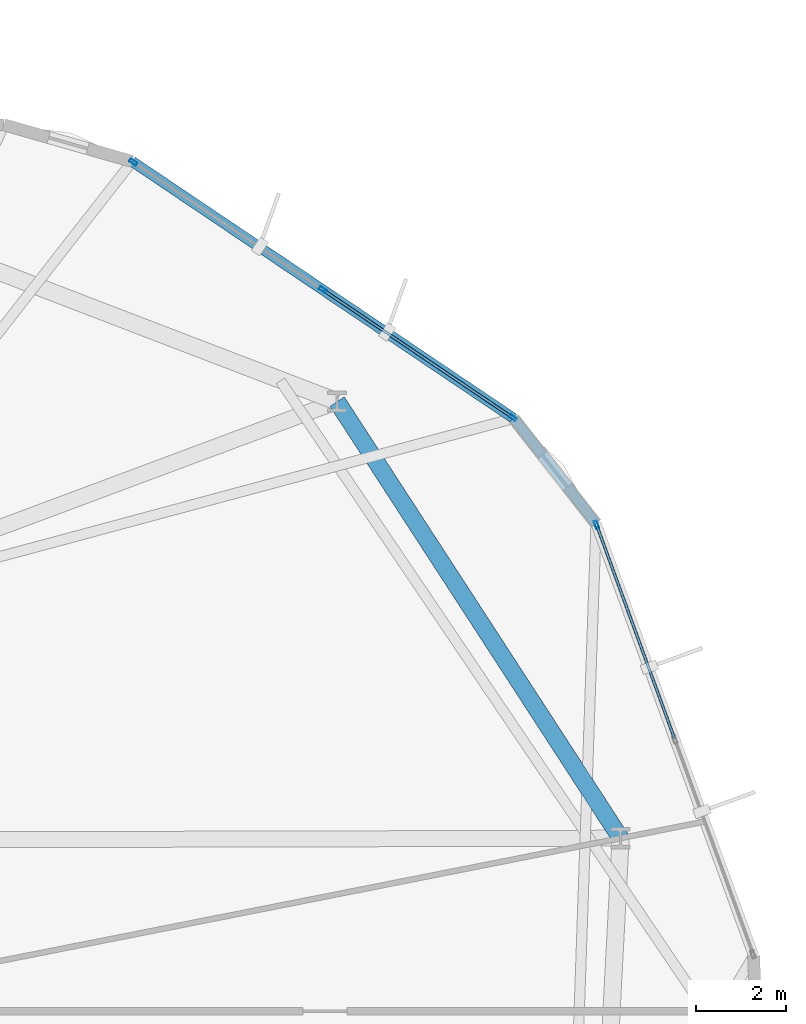
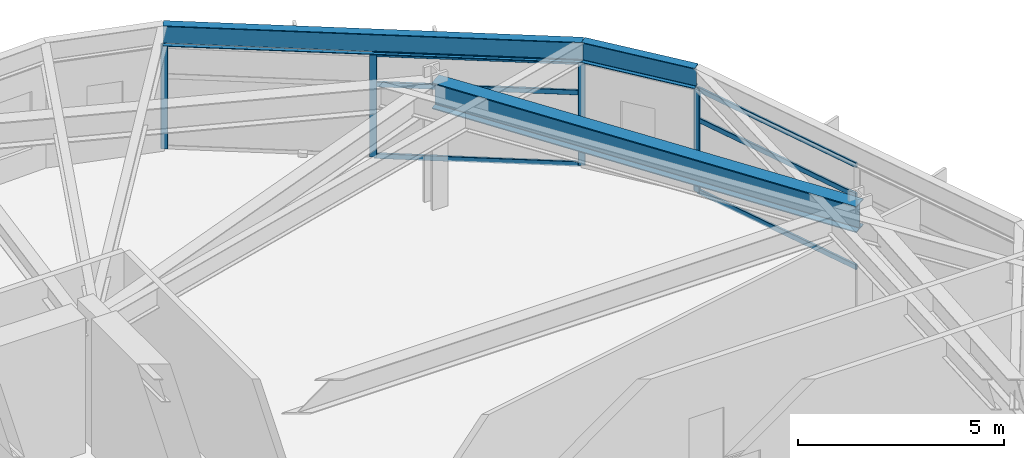
# One storey, part 14 of 21: 10 members, 3 beams, 2 elements without a shape of their own.
"""IFC4 building model written with IfcOpenShell, lengths in metres."""

from ifc_helpers import new_model, si_unit, direction, frame, origin, origin_2d, place, context, subcontext, project, spatial, hollow_rectangle, i_section, extrude, material, layer, layer_set, material_profile, profile_set, type_object, element, aggregate, save


model = new_model("IFC4")

# Units and contexts
model_context = context("Model", 3, precision=1e-05, world=origin(), true_north=direction((0.0, 1.0)))
body_context = subcontext(model_context, "Body", "Model", "MODEL_VIEW")
ifc_project = project(units=[si_unit("LENGTHUNIT", "METRE"), si_unit("AREAUNIT", "SQUARE_METRE"), si_unit("VOLUMEUNIT", "CUBIC_METRE"), si_unit("PLANEANGLEUNIT", "RADIAN"), si_unit("MASSUNIT", "GRAM", prefix="KILO")], contexts=[model_context])

# Site, building, storey
site_placement = place(None, origin())
site = spatial("IfcSite", under=ifc_project, at=site_placement, CompositionType="ELEMENT")
building_placement = place(site_placement, origin())
building = spatial("IfcBuilding", under=site, at=building_placement, Name="Soratama Intermodal Tower", CompositionType="ELEMENT")
storey_placement = place(building_placement, frame((0.0, 0.0, 34.60009765625)))
storey = spatial("IfcBuildingStorey", under=building, at=storey_placement, Name="L07", CompositionType="ELEMENT", Elevation=34.60009765625)

# Beams
ifc_material_1 = material(Name="Structural steel ASTM A992 Grade 50", Category="steel")
ifc_material_profile_1 = material_profile(ifc_material_1, i_section(OverallWidth=0.382080078125, OverallDepth=0.779052734375, WebThickness=0.01806640625, FlangeThickness=0.030029296875, FilletRadius=0.01806640625, at=origin_2d()), Name="W30X191")
ifc_profile_set_1 = profile_set([ifc_material_profile_1], Name="Structural steel ASTM A992 Grade 50")
beam_type_1 = type_object("IfcBeamType", Name="BM-RING-W30X191", PredefinedType="BEAM", material=ifc_profile_set_1)
beam_1_placement = place(storey_placement, frame((63.08203125, 29.844970703125, 3.310302734375), z_axis=(-0.544623370352, 0.838680740489, 0.0), x_axis=(-0.838680740489, -0.544623370352, 0.0)))
element("IfcBeam", 1, at=beam_1_placement, inside=storey, type_object=beam_type_1, Name="BM-L07-RING-01", PredefinedType="BEAM", context=body_context, shape_type="SweptSolid", body=[
    extrude(i_section(OverallWidth=0.382080078125, OverallDepth=0.779052734375, WebThickness=0.01806640625, FlangeThickness=0.030029296875, FilletRadius=0.01806640625, at=origin_2d()), origin(), (0.0, 0.0, 1.0), 11.569580078125),
])
ifc_material_2 = material(Name="Structural steel ASTM A992 Grade 50", Category="steel")
ifc_material_profile_2 = material_profile(ifc_material_2, i_section(OverallWidth=0.22900390625, OverallDepth=0.612060546875, WebThickness=0.011962890625, FlangeThickness=0.01953125, FilletRadius=0.012939453125, at=origin_2d()), Name="W24X84")
ifc_profile_set_2 = profile_set([ifc_material_profile_2], Name="Structural steel ASTM A992 Grade 50")
beam_type_2 = type_object("IfcBeamType", Name="BM-SPN-W24X84", PredefinedType="SPANDREL", material=ifc_profile_set_2)
beam_2_placement = place(storey_placement, frame((62.537109375, 36.837890625, 3.393798828125), z_axis=(-0.616268316519, 0.787536260787, 0.0), x_axis=(-0.787536260787, -0.616268316519, 0.0)))
element("IfcBeam", 2, at=beam_2_placement, inside=storey, type_object=beam_type_2, Name="BS-L07-CRN01", PredefinedType="SPANDREL", context=body_context, shape_type="SweptSolid", body=[
    extrude(i_section(OverallWidth=0.22900390625, OverallDepth=0.612060546875, WebThickness=0.011962890625, FlangeThickness=0.01953125, FilletRadius=0.012939453125, at=origin_2d()), origin(), (0.0, 0.0, 1.0), 2.966552734375),
])
beam_3_placement = place(storey_placement, frame((60.708984375, 39.174072265625, 3.393798828125), z_axis=(-0.82941027997, 0.558639944401, 0.0), x_axis=(-0.558639944401, -0.82941027997, 0.0)))
element("IfcBeam", 3, at=beam_3_placement, inside=storey, type_object=beam_type_2, Name="BS-L07-F02", PredefinedType="SPANDREL", context=body_context, shape_type="SweptSolid", body=[
    extrude(i_section(OverallWidth=0.22900390625, OverallDepth=0.612060546875, WebThickness=0.011962890625, FlangeThickness=0.01953125, FilletRadius=0.012939453125, at=origin_2d()), origin(), (0.0, 0.0, 1.0), 10.222900390625),
])

# Curtain wall, member
ifc_material_3 = material(Name="Double-glazed aluminium curtain wall", Category="aluminium")
ifc_layer = layer(ifc_material_3, 0.159912109375)
ifc_layer_set = layer_set([ifc_layer], Name="Double-glazed aluminium curtain wall")
curtain_wall_type = type_object("IfcCurtainWallType", Name="CW-SYS-2", PredefinedType="NOTDEFINED", material=ifc_layer_set)
curtain_wall_1_placement = place(storey_placement, origin())
curtain_wall_1 = element("IfcCurtainWall", 4, at=curtain_wall_1_placement, inside=storey, type_object=curtain_wall_type, Name="L07 Faceted Curtain Wall F01", PredefinedType="NOTDEFINED")
ifc_material_4 = material(Name="Anodised aluminium AA 6063-T6", Category="aluminium")
ifc_material_profile_3 = material_profile(ifc_material_4, hollow_rectangle(XDim=0.074951171875, YDim=0.179931640625, WallThickness=0.006103515625, InnerFilletRadius=0.006103515625, OuterFilletRadius=0.011962890625, at=origin_2d()), Name="CWM180X75X6")
ifc_profile_set_3 = profile_set([ifc_material_profile_3], Name="Anodised aluminium AA 6063-T6")
member_type_1 = type_object("IfcMemberType", Name="MT-CWM-2", PredefinedType="MULLION", material=ifc_profile_set_3)
member_1_placement = place(storey_placement, frame((62.547119140625, 36.8095703125, 0.0), z_axis=(0.0, 0.0, 1.0), x_axis=(-0.939452518912, -0.342679098735, 0.0)))
member_1 = element("IfcMember", 5, at=member_1_placement, type_object=member_type_1, Name="CW-2 mullion 3", PredefinedType="MULLION", context=body_context, shape_type="SweptSolid", body=[
    extrude(hollow_rectangle(XDim=0.074951171875, YDim=0.179931640625, WallThickness=0.006103515625, InnerFilletRadius=0.006103515625, OuterFilletRadius=0.011962890625, at=origin_2d()), origin(), (0.0, 0.0, 1.0), 3.078857421875),
])

# Curtain wall, members
curtain_wall_2_placement = place(storey_placement, origin())
curtain_wall_2 = element("IfcCurtainWall", 6, at=curtain_wall_2_placement, inside=storey, type_object=curtain_wall_type, Name="L07 Faceted Curtain Wall F02", PredefinedType="NOTDEFINED")
member_2_placement = place(storey_placement, frame((60.68408203125, 39.19091796875, 0.0), z_axis=(0.0, 0.0, 1.0), x_axis=(-0.558610542443, -0.82943008257, 0.0)))
member_2 = element("IfcMember", 7, at=member_2_placement, type_object=member_type_1, Name="CW-2 mullion 1", PredefinedType="MULLION", context=body_context, shape_type="SweptSolid", body=[
    extrude(hollow_rectangle(XDim=0.074951171875, YDim=0.179931640625, WallThickness=0.006103515625, InnerFilletRadius=0.006103515625, OuterFilletRadius=0.011962890625, at=origin_2d()), origin(), (0.0, 0.0, 1.0), 3.078857421875),
])
member_3_placement = place(storey_placement, frame((56.46923828125, 42.029541015625, 0.0), z_axis=(0.0, 0.0, 1.0), x_axis=(-0.558610542443, -0.82943008257, 0.0)))
member_3 = element("IfcMember", 8, at=member_3_placement, type_object=member_type_1, Name="CW-2 mullion 2", PredefinedType="MULLION", context=body_context, shape_type="SweptSolid", body=[
    extrude(hollow_rectangle(XDim=0.074951171875, YDim=0.179931640625, WallThickness=0.006103515625, InnerFilletRadius=0.006103515625, OuterFilletRadius=0.011962890625, at=origin_2d()), origin(), (0.0, 0.0, 1.0), 3.078857421875),
])
member_4_placement = place(storey_placement, frame((52.25439453125, 44.867919921875, 0.0), z_axis=(0.0, 0.0, 1.0), x_axis=(-0.558610542443, -0.82943008257, 0.0)))
member_4 = element("IfcMember", 9, at=member_4_placement, type_object=member_type_1, Name="CW-2 mullion 3", PredefinedType="MULLION", context=body_context, shape_type="SweptSolid", body=[
    extrude(hollow_rectangle(XDim=0.074951171875, YDim=0.179931640625, WallThickness=0.006103515625, InnerFilletRadius=0.006103515625, OuterFilletRadius=0.011962890625, at=origin_2d()), origin(), (0.0, 0.0, 1.0), 3.078857421875),
])

# Member
ifc_material_5 = material(Name="Anodised aluminium AA 6063-T6", Category="aluminium")
ifc_material_profile_4 = material_profile(ifc_material_5, hollow_rectangle(XDim=0.06494140625, YDim=0.14990234375, WallThickness=0.0048828125, InnerFilletRadius=0.0048828125, OuterFilletRadius=0.010009765625, at=origin_2d()), Name="CWT150X65X5")
ifc_profile_set_4 = profile_set([ifc_material_profile_4], Name="Anodised aluminium AA 6063-T6")
member_type_2 = type_object("IfcMemberType", Name="TT-CWT-1", PredefinedType="USERDEFINED", material=ifc_profile_set_4)
member_5_placement = place(storey_placement, frame((64.2783203125, 32.06396484375, 0.02978515625), z_axis=(-0.342722731042, 0.93943660224, 0.0), x_axis=(-0.93943660224, -0.342722731042, 0.0)))
member_5 = element("IfcMember", 10, at=member_5_placement, type_object=member_type_2, Name="CW-2 transom 2.1", ObjectType="TRANSOM", PredefinedType="USERDEFINED", context=body_context, shape_type="SweptSolid", body=[
    extrude(hollow_rectangle(XDim=0.06494140625, YDim=0.14990234375, WallThickness=0.0048828125, InnerFilletRadius=0.0048828125, OuterFilletRadius=0.010009765625, at=origin_2d()), origin(), (0.0, 0.0, 1.0), 5.021484375),
])

member_6_placement = place(storey_placement, frame((64.2783203125, 32.06396484375, 2.14990234375), z_axis=(-0.342722731042, 0.93943660224, 0.0), x_axis=(-0.93943660224, -0.342722731042, 0.0)))
member_6 = element("IfcMember", 11, at=member_6_placement, type_object=member_type_2, Name="CW-2 transom 2.2", ObjectType="TRANSOM", PredefinedType="USERDEFINED", context=body_context, shape_type="SweptSolid", body=[
    extrude(hollow_rectangle(XDim=0.06494140625, YDim=0.14990234375, WallThickness=0.0048828125, InnerFilletRadius=0.0048828125, OuterFilletRadius=0.010009765625, at=origin_2d()), origin(), (0.0, 0.0, 1.0), 5.021484375),
])

member_7_placement = place(storey_placement, frame((64.2783203125, 32.06396484375, 3.048828125), z_axis=(-0.342722731042, 0.93943660224, 0.0), x_axis=(-0.93943660224, -0.342722731042, 0.0)))
member_7 = element("IfcMember", 12, at=member_7_placement, type_object=member_type_2, Name="CW-2 transom 2.3", ObjectType="TRANSOM", PredefinedType="USERDEFINED", context=body_context, shape_type="SweptSolid", body=[
    extrude(hollow_rectangle(XDim=0.06494140625, YDim=0.14990234375, WallThickness=0.0048828125, InnerFilletRadius=0.0048828125, OuterFilletRadius=0.010009765625, at=origin_2d()), origin(), (0.0, 0.0, 1.0), 5.021484375),
])

aggregate(curtain_wall_1, [member_1, member_5, member_6, member_7])

member_8_placement = place(storey_placement, frame((60.6591796875, 39.20751953125, 0.02978515625), z_axis=(-0.829423135499, 0.558620857379, 0.0), x_axis=(-0.558620857379, -0.829423135499, 0.0)))
member_8 = element("IfcMember", 13, at=member_8_placement, type_object=member_type_2, Name="CW-2 transom 1.1", ObjectType="TRANSOM", PredefinedType="USERDEFINED", context=body_context, shape_type="SweptSolid", body=[
    extrude(hollow_rectangle(XDim=0.06494140625, YDim=0.14990234375, WallThickness=0.0048828125, InnerFilletRadius=0.0048828125, OuterFilletRadius=0.010009765625, at=origin_2d()), origin(), (0.0, 0.0, 1.0), 5.021728515625),
])

member_9_placement = place(storey_placement, frame((60.6591796875, 39.20751953125, 2.14990234375), z_axis=(-0.829423135499, 0.558620857379, 0.0), x_axis=(-0.558620857379, -0.829423135499, 0.0)))
member_9 = element("IfcMember", 14, at=member_9_placement, type_object=member_type_2, Name="CW-2 transom 1.2", ObjectType="TRANSOM", PredefinedType="USERDEFINED", context=body_context, shape_type="SweptSolid", body=[
    extrude(hollow_rectangle(XDim=0.06494140625, YDim=0.14990234375, WallThickness=0.0048828125, InnerFilletRadius=0.0048828125, OuterFilletRadius=0.010009765625, at=origin_2d()), origin(), (0.0, 0.0, 1.0), 5.021728515625),
])

member_10_placement = place(storey_placement, frame((60.6591796875, 39.20751953125, 3.048828125), z_axis=(-0.829423135499, 0.558620857379, 0.0), x_axis=(-0.558620857379, -0.829423135499, 0.0)))
member_10 = element("IfcMember", 15, at=member_10_placement, type_object=member_type_2, Name="CW-2 transom 1.3", ObjectType="TRANSOM", PredefinedType="USERDEFINED", context=body_context, shape_type="SweptSolid", body=[
    extrude(hollow_rectangle(XDim=0.06494140625, YDim=0.14990234375, WallThickness=0.0048828125, InnerFilletRadius=0.0048828125, OuterFilletRadius=0.010009765625, at=origin_2d()), origin(), (0.0, 0.0, 1.0), 5.021728515625),
])

aggregate(curtain_wall_2, [member_2, member_3, member_4, member_8, member_9, member_10])

save(model, "model.ifc")
